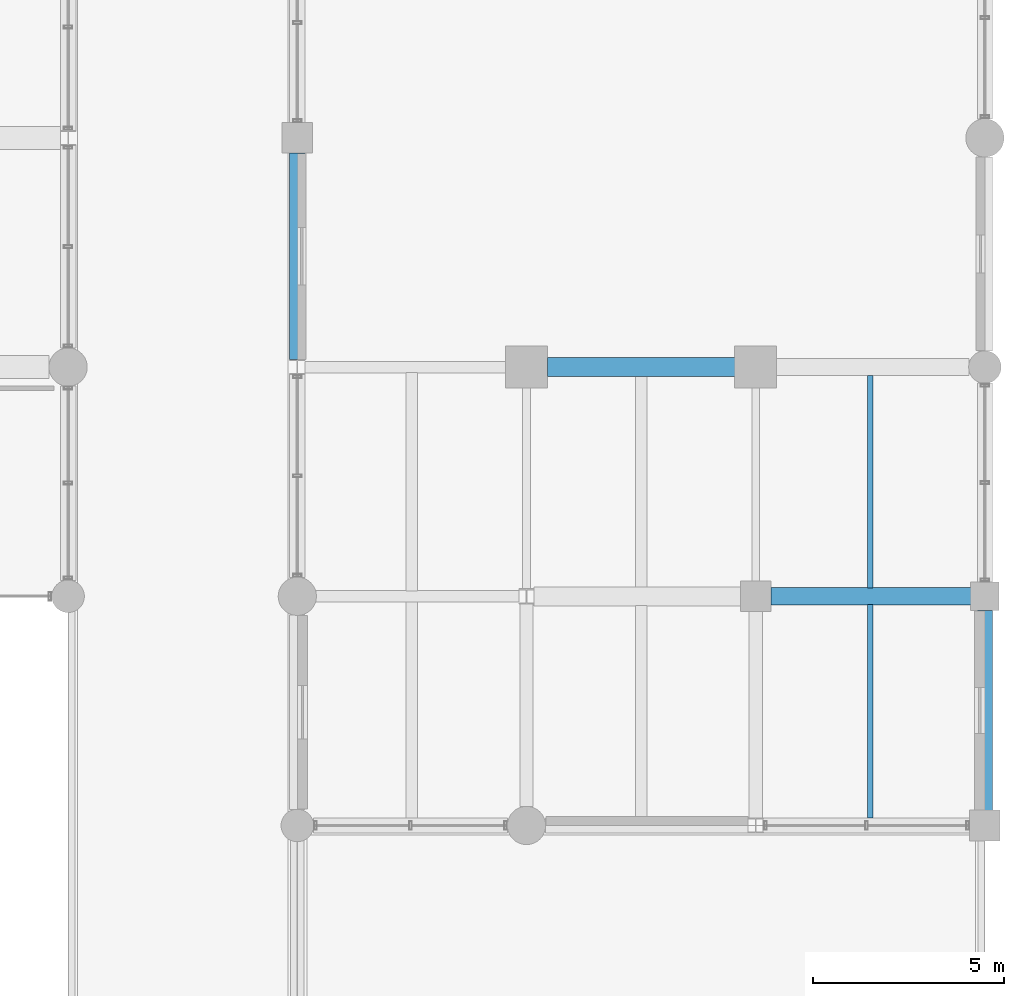
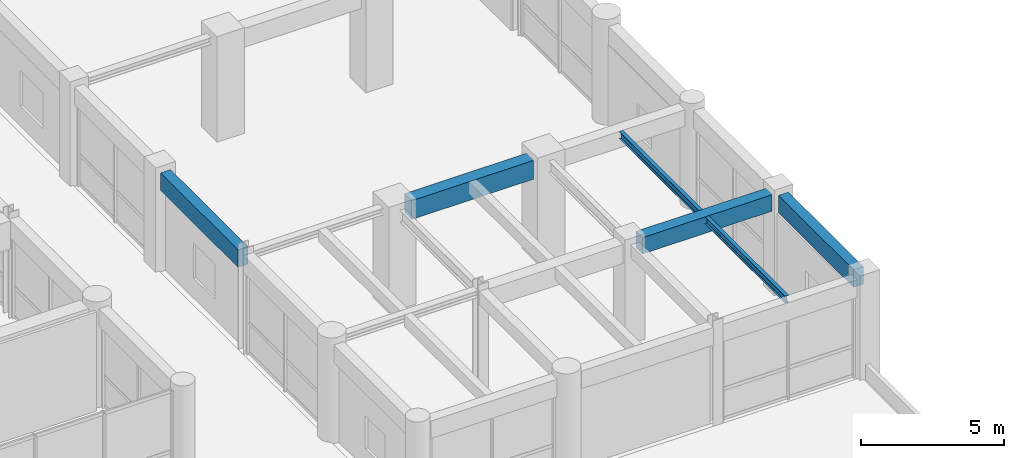
# One storey, part 64 of 133: 6 beams.
"""IFC4 building model written with IfcOpenShell, lengths in metres."""

from ifc_helpers import new_model, si_unit, direction, frame, origin, origin_2d, place, context, subcontext, project, spatial, rectangle, i_section, extrude, material, material_profile, profile_set, type_object, element, save


model = new_model("IFC4")

# Units and contexts
model_context = context("Model", 3, precision=1e-05, world=origin(), true_north=direction((0.0, 1.0)))
body_context = subcontext(model_context, "Body", "Model", "MODEL_VIEW")
ifc_project = project(units=[si_unit("LENGTHUNIT", "METRE"), si_unit("AREAUNIT", "SQUARE_METRE"), si_unit("VOLUMEUNIT", "CUBIC_METRE"), si_unit("PLANEANGLEUNIT", "RADIAN"), si_unit("MASSUNIT", "GRAM", prefix="KILO"), si_unit("THERMODYNAMICTEMPERATUREUNIT", "KELVIN"), si_unit("POWERUNIT", "WATT")], contexts=[model_context])

# Site, building, storey
site_placement = place(None, origin())
site = spatial("IfcSite", under=ifc_project, at=site_placement, CompositionType="ELEMENT")
building_placement = place(site_placement, origin())
building = spatial("IfcBuilding", under=site, at=building_placement, Name="Phaisarnlok Congress Hotel", CompositionType="ELEMENT")
storey_placement = place(building_placement, frame((0.0, 0.0, 6.0)))
storey = spatial("IfcBuildingStorey", under=building, at=storey_placement, Name="L01", CompositionType="ELEMENT", Elevation=6.0)

# Beams
ifc_material_1 = material(Name="Concrete C40/50", Category="concrete")
ifc_material_profile_1 = material_profile(ifc_material_1, rectangle(XDim=0.449951171875, YDim=0.699951171875, at=origin_2d()), Name="RC 450x700")
ifc_profile_set_1 = profile_set([ifc_material_profile_1], Name="Concrete C40/50")
beam_type_1 = type_object("IfcBeamType", Name="BM-RC-450x700", PredefinedType="BEAM", material=ifc_profile_set_1)
beam_1_placement = place(storey_placement, frame((174.39501953125, 36.0, 3.8701171875), z_axis=(1.0, 0.0, 0.0), x_axis=(0.0, 1.0, 0.0)))
element("IfcBeam", 1, at=beam_1_placement, inside=storey, type_object=beam_type_1, Name="Beam B-03", PredefinedType="BEAM", context=body_context, shape_type="SweptSolid", body=[
    extrude(rectangle(XDim=0.449951171875, YDim=0.699951171875, at=origin_2d()), origin(), (0.0, 0.0, 1.0), 5.23486328125),
])
ifc_material_profile_2 = material_profile(ifc_material_1, rectangle(XDim=0.5, YDim=0.800048828125, at=origin_2d()), Name="RC 500x800")
ifc_profile_set_2 = profile_set([ifc_material_profile_2], Name="Concrete C40/50")
beam_type_2 = type_object("IfcBeamType", Name="BM-RC-500x800", PredefinedType="BEAM", material=ifc_profile_set_2)
beam_2_placement = place(storey_placement, frame((168.544921875, 42.0, 3.820068359375), z_axis=(1.0, 0.0, 0.0), x_axis=(0.0, 1.0, 0.0)))
element("IfcBeam", 2, at=beam_2_placement, inside=storey, type_object=beam_type_2, Name="Beam B-04", PredefinedType="BEAM", context=body_context, shape_type="SweptSolid", body=[
    extrude(rectangle(XDim=0.5, YDim=0.800048828125, at=origin_2d()), origin(), (0.0, 0.0, 1.0), 4.91015625),
])
ifc_material_2 = material(Name="Steel S355", Category="steel")
ifc_material_profile_3 = material_profile(ifc_material_2, i_section(OverallWidth=0.14990234375, OverallDepth=0.300048828125, WebThickness=0.007080078125, FlangeThickness=0.0107421875, FilletRadius=0.014892578125, at=origin_2d()), Name="IPE 300")
ifc_profile_set_3 = profile_set([ifc_material_profile_3], Name="Steel S355")
beam_type_3 = type_object("IfcBeamType", Name="JS-STL-IPE300", PredefinedType="JOIST", material=ifc_profile_set_3)
beam_3_placement = place(storey_placement, frame((177.0, 30.195068359375, 4.070068359375), z_axis=(0.0, 1.0, 0.0), x_axis=(-1.0, 0.0, 0.0)))
element("IfcBeam", 3, at=beam_3_placement, inside=storey, type_object=beam_type_3, Name="Secondary floor joist J-03", PredefinedType="JOIST", context=body_context, shape_type="SweptSolid", body=[
    extrude(i_section(OverallWidth=0.14990234375, OverallDepth=0.300048828125, WebThickness=0.007080078125, FlangeThickness=0.0107421875, FilletRadius=0.014892578125, at=origin_2d()), origin(), (0.0, 0.0, 1.0), 5.5849609375),
])
beam_4_placement = place(storey_placement, frame((177.0, 36.219970703125, 4.070068359375), z_axis=(0.0, 1.0, 0.0), x_axis=(-1.0, 0.0, 0.0)))
element("IfcBeam", 4, at=beam_4_placement, inside=storey, type_object=beam_type_3, Name="Secondary floor joist J-03", PredefinedType="JOIST", context=body_context, shape_type="SweptSolid", body=[
    extrude(i_section(OverallWidth=0.14990234375, OverallDepth=0.300048828125, WebThickness=0.007080078125, FlangeThickness=0.0107421875, FilletRadius=0.014892578125, at=origin_2d()), origin(), (0.0, 0.0, 1.0), 5.56005859375),
])
ifc_material_profile_4 = material_profile(ifc_material_1, rectangle(XDim=0.39990234375, YDim=0.75, at=origin_2d()), Name="RC 400x750")
ifc_profile_set_4 = profile_set([ifc_material_profile_4], Name="Concrete C40/50")
beam_type_4 = type_object("IfcBeamType", Name="SP-RC-400x750", PredefinedType="SPANDREL", material=ifc_profile_set_4)
beam_5_placement = place(storey_placement, frame((162.0, 42.194580078125, 3.844970703125), z_axis=(0.0, 1.0, 0.0), x_axis=(-1.0, 0.0, 0.0)))
element("IfcBeam", 5, at=beam_5_placement, inside=storey, type_object=beam_type_4, Name="Beam SP-02", PredefinedType="SPANDREL", context=body_context, shape_type="SweptSolid", body=[
    extrude(rectangle(XDim=0.39990234375, YDim=0.75, at=origin_2d()), origin(), (0.0, 0.0, 1.0), 5.410400390625),
])
beam_6_placement = place(storey_placement, frame((180.0, 30.39501953125, 3.844970703125), z_axis=(0.0, 1.0, 0.0), x_axis=(-1.0, 0.0, 0.0)))
element("IfcBeam", 6, at=beam_6_placement, inside=storey, type_object=beam_type_4, Name="Beam SP-02", PredefinedType="SPANDREL", context=body_context, shape_type="SweptSolid", body=[
    extrude(rectangle(XDim=0.39990234375, YDim=0.75, at=origin_2d()), origin(), (0.0, 0.0, 1.0), 5.23486328125),
])

save(model, "model.ifc")
